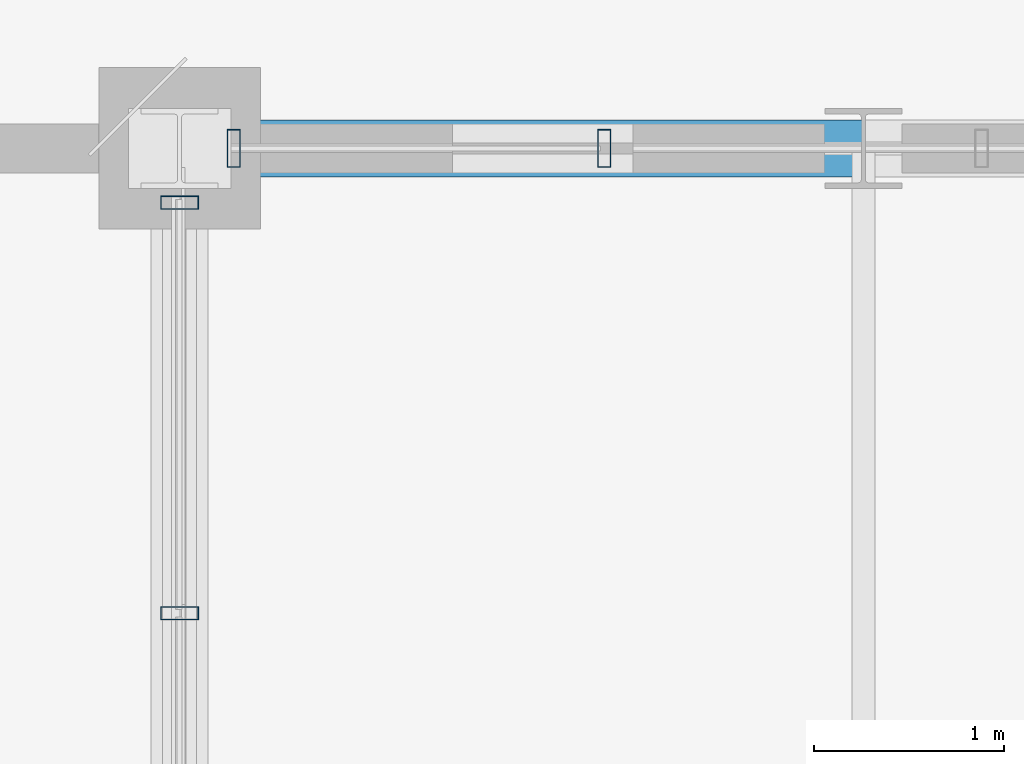
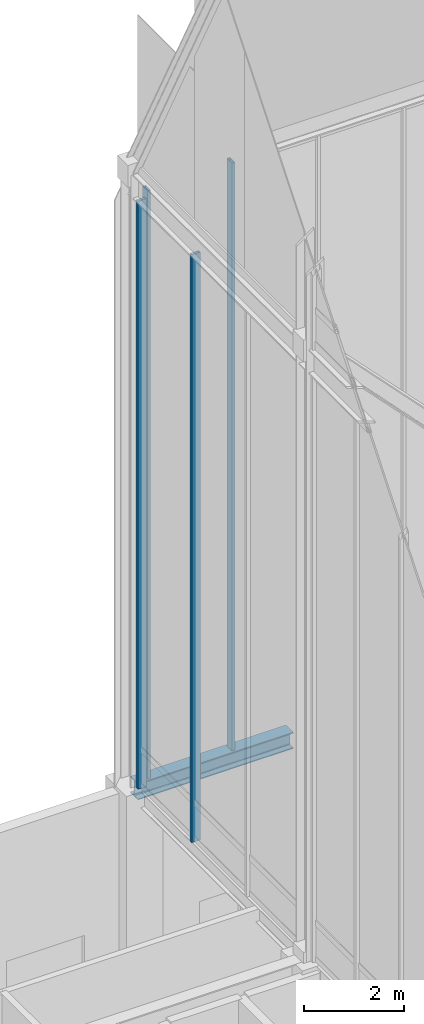
# One storey, part 23 of 49: 4 members, 1 beam, 2 elements without a shape of their own.
"""IFC4 building model written with IfcOpenShell, lengths in metres."""

import ifcopenshell
import ifcopenshell.guid

model = None  # the IFC model being written
_history = None  # IfcOwnerHistory: only IFC2X3 demands one
_inside = {}  # id of a spatial element -> (the spatial element, [elements in it])
_under = {}  # id of a project, library or spatial element -> (it, [spatial elements below it])
_declared = {}  # id of a project -> (the project, [libraries it declares])
_typed = {}  # id of a type object -> (the type object, [elements of that type])
_made_of = {}  # id of a material, layer set ... -> (it, [elements and type objects made of it])


def new_model(schema):
    """Start an empty IFC model of exactly this schema.

    Asked for "IFC4X3", IfcOpenShell would pick the latest addendum, in which some entities
    have other attributes; the version numbers below select the first issue.
    IFC2X3 requires an IfcOwnerHistory on every rooted entity: one is made here for all.
    """
    global model, _history
    if schema == "IFC4X3":
        model = ifcopenshell.file(schema_version=(4, 3, 0, 0))
    else:
        model = ifcopenshell.file(schema=schema)
    _inside.clear()
    _under.clear()
    _declared.clear()
    _typed.clear()
    _made_of.clear()
    _history = None
    if model.schema == "IFC2X3":
        org = make("IfcOrganization", Name="unknown")
        user = make(
            "IfcPersonAndOrganization",
            ThePerson=make("IfcPerson", FamilyName="unknown"),
            TheOrganization=org,
        )
        app = make(
            "IfcApplication",
            ApplicationDeveloper=org,
            Version="unknown",
            ApplicationFullName="unknown",
            ApplicationIdentifier="unknown",
        )
        _history = make(
            "IfcOwnerHistory",
            OwningUser=user,
            OwningApplication=app,
            ChangeAction="ADDED",
            CreationDate=0,
        )
    return model


def make(cls, **values):
    """One entity of the class cls with the attributes given. An attribute that is None is left unset."""
    return model.create_entity(
        cls, **{name: value for name, value in values.items() if value is not None}
    )


def rooted(cls, **values):
    """An entity with a GlobalId (a new one), such as an element, a storey or a relation."""
    return make(cls, GlobalId=ifcopenshell.guid.new(), OwnerHistory=_history, **values)


def si_unit(unit_type, name, prefix=None):
    """IfcSIUnit, for example si_unit("LENGTHUNIT", "METRE", prefix="MILLI")."""
    return make("IfcSIUnit", UnitType=unit_type, Prefix=prefix, Name=name)


def assignment(units):
    """IfcUnitAssignment: the units of a project."""
    return None if units is None else make("IfcUnitAssignment", Units=units)


def point(xyz):
    """IfcCartesianPoint."""
    return None if xyz is None else make("IfcCartesianPoint", Coordinates=xyz)


def direction(xyz):
    """IfcDirection."""
    return None if xyz is None else make("IfcDirection", DirectionRatios=xyz)


def frame(location, z_axis=None, x_axis=None):
    """IfcAxis2Placement3D, a coordinate frame: its origin and axes. An axis left out is left unset."""
    return make(
        "IfcAxis2Placement3D",
        Location=point(location),
        Axis=direction(z_axis),
        RefDirection=direction(x_axis),
    )


def frame_2d(location, x_axis=None):
    """IfcAxis2Placement2D, a coordinate frame in the plane: its origin and x axis."""
    return make(
        "IfcAxis2Placement2D", Location=point(location), RefDirection=direction(x_axis)
    )


def origin():
    """The frame at (0, 0, 0) with its axes left unset."""
    return frame((0.0, 0.0, 0.0))


def origin_2d():
    """The frame at (0, 0) in the plane with its x axis left unset."""
    return frame_2d((0.0, 0.0))


def place(relative_to, where):
    """IfcLocalPlacement: puts the frame where relative to a parent placement (None: the world)."""
    return make(
        "IfcLocalPlacement", PlacementRelTo=relative_to, RelativePlacement=where
    )


def context(
    kind, dimensions, precision=None, world=None, true_north=None, identifier=None
):
    """IfcGeometricRepresentationContext, for example the 3D "Model" context."""
    return make(
        "IfcGeometricRepresentationContext",
        ContextIdentifier=identifier,
        ContextType=kind,
        CoordinateSpaceDimension=dimensions,
        Precision=precision,
        WorldCoordinateSystem=world,
        TrueNorth=true_north,
    )


def subcontext(parent, identifier, kind, view, scale=None):
    """IfcGeometricRepresentationSubContext, for example "Body" below "Model"."""
    return make(
        "IfcGeometricRepresentationSubContext",
        ContextIdentifier=identifier,
        ContextType=kind,
        ParentContext=parent,
        TargetScale=scale,
        TargetView=view,
    )


def project(units=None, contexts=None):
    """IfcProject with its units and contexts."""
    return rooted(
        "IfcProject",
        Name="project",
        RepresentationContexts=contexts,
        UnitsInContext=assignment(units),
    )


def spatial(cls, under=None, at=None, **own):
    """A site, building, storey or space (cls), placed at a placement, below another one or the project."""
    s = rooted(cls, ObjectPlacement=at, **own)
    if under is not None:
        _under.setdefault(under.id(), (under, []))[1].append(s)
    return s


def profile(cls, at=None, kind="AREA", **sizes):
    """A parametric profile (cls). Its sizes go by their IFC names, for example OverallWidth=200.0."""
    return make(cls, ProfileType=kind, Position=at, **sizes)


def hollow_rectangle(**sizes):
    """IfcRectangleHollowProfileDef."""
    return profile("IfcRectangleHollowProfileDef", **sizes)


def i_section(**sizes):
    """IfcIShapeProfileDef."""
    return profile("IfcIShapeProfileDef", **sizes)


def extrude(swept, where, along, depth):
    """IfcExtrudedAreaSolid: the profile swept, set in the frame where, extruded along a direction by depth."""
    return make(
        "IfcExtrudedAreaSolid",
        SweptArea=swept,
        Position=where,
        ExtrudedDirection=direction(along),
        Depth=depth,
    )


def shape(context_of_items, identifier, shape_type, items):
    """IfcShapeRepresentation: the items that make up one representation, for example the "Body"."""
    return make(
        "IfcShapeRepresentation",
        ContextOfItems=context_of_items,
        RepresentationIdentifier=identifier,
        RepresentationType=shape_type,
        Items=items,
    )


def source(mapping_origin, context_of_items, identifier, shape_type, items):
    """IfcRepresentationMap: a shape defined once, which mapped items show again and again."""
    return make(
        "IfcRepresentationMap",
        MappingOrigin=mapping_origin,
        MappedRepresentation=shape(context_of_items, identifier, shape_type, items),
    )


def transform(
    local_origin,
    x_axis=None,
    y_axis=None,
    z_axis=None,
    scale=None,
    scale2=None,
    scale3=None,
    uniform=True,
):
    """IfcCartesianTransformationOperator3D, or its non-uniform kind. x_axis, y_axis, z_axis: its Axis1, 2, 3."""
    if uniform:
        return make(
            "IfcCartesianTransformationOperator3D",
            Axis1=direction(x_axis),
            Axis2=direction(y_axis),
            LocalOrigin=point(local_origin),
            Scale=scale,
            Axis3=direction(z_axis),
        )
    return make(
        "IfcCartesianTransformationOperator3DnonUniform",
        Axis1=direction(x_axis),
        Axis2=direction(y_axis),
        LocalOrigin=point(local_origin),
        Scale=scale,
        Axis3=direction(z_axis),
        Scale2=scale2,
        Scale3=scale3,
    )


def mapped(mapping_source, mapping_target):
    """IfcMappedItem: shows the shape of a source again, moved by a transform."""
    return make(
        "IfcMappedItem", MappingSource=mapping_source, MappingTarget=mapping_target
    )


def material(Name=None, Category=None):
    """IfcMaterial."""
    return make("IfcMaterial", Name=Name, Category=Category)


def layer(
    of_material, thickness, ventilated=None, Name=None, Category=None, Priority=None
):
    """IfcMaterialLayer: one layer of a wall or slab, of a material (None: an air gap)."""
    return make(
        "IfcMaterialLayer",
        Material=of_material,
        LayerThickness=thickness,
        IsVentilated=ventilated,
        Name=Name,
        Category=Category,
        Priority=Priority,
    )


def layer_set(layers, Name=None):
    """IfcMaterialLayerSet."""
    return make("IfcMaterialLayerSet", MaterialLayers=layers, LayerSetName=Name)


def material_profile(
    of_material, cross_section, Name=None, Category=None, Priority=None
):
    """IfcMaterialProfile: a cross section and its material."""
    return make(
        "IfcMaterialProfile",
        Name=Name,
        Material=of_material,
        Profile=cross_section,
        Priority=Priority,
        Category=Category,
    )


def profile_set(profiles, Name=None, composite=None):
    """IfcMaterialProfileSet."""
    return make(
        "IfcMaterialProfileSet",
        Name=Name,
        MaterialProfiles=profiles,
        CompositeProfile=composite,
    )


def made_of(thing, what):
    """Note that an element or type object is made of a material, layer set ...; save() writes the relation."""
    if what is not None:
        _made_of.setdefault(what.id(), (what, []))[1].append(thing)
    return thing


def type_object(cls, material=None, **own):
    """A type object (cls), such as IfcWallType, which elements share."""
    return made_of(rooted(cls, **own), material)


def element(
    cls,
    number,
    at=None,
    inside=None,
    cuts=None,
    type_object=None,
    material=None,
    context=None,
    identifier="Body",
    shape_type=None,
    held_by="IfcProductDefinitionShape",
    body=None,
    shapes=None,
    **own,
):
    """One element of the class cls, such as IfcWall. Its Tag is "e" and its number.

    at: its placement. inside: the storey or other place that contains it. cuts: it is an
    opening in that element (IfcRelVoidsElement). A single representation is given by context,
    identifier, shape_type and body (its items); several are given by shapes. held_by: the class
    of the entity that holds the representations. save() writes the other relations.
    """
    e = rooted(cls, Tag="e%d" % number, ObjectPlacement=at, **own)
    if body is not None:
        shapes = [shape(context, identifier, shape_type, body)]
    if shapes is not None:
        e.Representation = make(held_by, Representations=shapes)
    if inside is not None:
        _inside.setdefault(inside.id(), (inside, []))[1].append(e)
    if cuts is not None:
        rooted(
            "IfcRelVoidsElement", RelatingBuildingElement=cuts, RelatedOpeningElement=e
        )
    if type_object is not None:
        _typed.setdefault(type_object.id(), (type_object, []))[1].append(e)
    return made_of(e, material)


def aggregate(whole, parts):
    """IfcRelAggregates: a whole, such as a stair, and the parts it consists of."""
    return rooted("IfcRelAggregates", RelatingObject=whole, RelatedObjects=parts)


def save(model, path):
    """Write the relations noted so far, then the file.

    IfcRelAggregates (storeys below a building ...), IfcRelContainedInSpatialStructure (elements
    in a storey), IfcRelDefinesByType, IfcRelAssociatesMaterial and IfcRelDeclares: one each for
    every whole, place, type object, material and project.
    """
    for whole, parts in _under.values():
        aggregate(whole, parts)
    for where, things in _inside.values():
        rooted(
            "IfcRelContainedInSpatialStructure",
            RelatedElements=things,
            RelatingStructure=where,
        )
    for kind, things in _typed.values():
        rooted("IfcRelDefinesByType", RelatedObjects=things, RelatingType=kind)
    for what, things in _made_of.values():
        rooted("IfcRelAssociatesMaterial", RelatedObjects=things, RelatingMaterial=what)
    for by, libraries in _declared.values():
        rooted("IfcRelDeclares", RelatingContext=by, RelatedDefinitions=libraries)
    model.write(path)


model = new_model("IFC4")

# Units and contexts
model_context = context("Model", 3, precision=1e-05, world=origin(), true_north=direction((0.0, 1.0)))
body_context = subcontext(model_context, "Body", "Model", "MODEL_VIEW")
ifc_project = project(units=[si_unit("LENGTHUNIT", "METRE"), si_unit("AREAUNIT", "SQUARE_METRE"), si_unit("VOLUMEUNIT", "CUBIC_METRE"), si_unit("PLANEANGLEUNIT", "RADIAN"), si_unit("MASSUNIT", "GRAM", prefix="KILO")], contexts=[model_context])

# Site, building, storey
site_placement = place(None, origin())
site = spatial("IfcSite", under=ifc_project, at=site_placement, CompositionType="ELEMENT")
building_placement = place(site_placement, origin())
building = spatial("IfcBuilding", under=site, at=building_placement, Name="Kaliganga Portal Commons", CompositionType="ELEMENT")
storey_placement = place(building_placement, frame((0.0, 0.0, 298.0)))
storey = spatial("IfcBuildingStorey", under=building, at=storey_placement, Name="L77", CompositionType="ELEMENT", Elevation=298.0)

# Beam
ifc_material_1 = material(Name="Structural steel S355J2", Category="steel")
ifc_material_profile_1 = material_profile(ifc_material_1, i_section(OverallWidth=0.300048828125, OverallDepth=0.39990234375, WebThickness=0.013427734375, FlangeThickness=0.02392578125, FilletRadius=0.027099609375, at=origin_2d()), Name="HE 400 B")
ifc_profile_set_1 = profile_set([ifc_material_profile_1], Name="Structural steel S355J2 wide-flange")
beam_type = type_object("IfcBeamType", Name="BM-SPAND-400", PredefinedType="SPANDREL", material=ifc_profile_set_1)
shared_shape_1 = source(origin(), body_context, "Body", "SweptSolid", [
    extrude(i_section(OverallWidth=0.300048828125, OverallDepth=0.39990234375, WebThickness=0.013427734375, FlangeThickness=0.02392578125, FilletRadius=0.027099609375, at=origin_2d()), origin(), (0.0, 0.0, 1.0), 3.60009765625),
])
beam_placement = place(storey_placement, frame((14.39990234375, 43.199951171875, 5.800048828125), z_axis=(1.0, 0.0, 0.0), x_axis=(0.0, 1.0, 0.0)))
element("IfcBeam", 1, at=beam_placement, inside=storey, type_object=beam_type, Name="BM SP L77 AN 1", PredefinedType="SPANDREL", context=body_context, shape_type="MappedRepresentation", body=[
    mapped(shared_shape_1, transform((0.0, 0.0, 0.0), x_axis=(1.0, 0.0, 0.0), y_axis=(0.0, 1.0, 0.0), z_axis=(0.0, 0.0, 1.0), scale=1.0)),
])

# Curtain wall, members
ifc_material_2 = material(Name="Anodized Aluminium and Laminated Low-E Glass", Category="aluminium")
ifc_layer = layer(ifc_material_2, 0.25)
ifc_layer_set = layer_set([ifc_layer], Name="Anodized Aluminium and Laminated Low-E Glass")
curtain_wall_type = type_object("IfcCurtainWallType", Name="CW-SYS-06", PredefinedType="NOTDEFINED", material=ifc_layer_set)
curtain_wall_1_placement = place(storey_placement, origin())
curtain_wall_1 = element("IfcCurtainWall", 2, at=curtain_wall_1_placement, inside=storey, type_object=curtain_wall_type, Name="CW 06 L77 NW", PredefinedType="NOTDEFINED")
ifc_material_3 = material(Name="Dark Bronze Anodized Aluminium", Category="aluminium")
ifc_material_profile_2 = material_profile(ifc_material_3, hollow_rectangle(XDim=0.070068359375, YDim=0.199951171875, WallThickness=0.00390625, at=origin_2d()), Name="ALU MULL 70x200x4")
ifc_profile_set_2 = profile_set([ifc_material_profile_2], Name="Dark Bronze Anodized Aluminium")
member_type = type_object("IfcMemberType", Name="CW-MUL-220", PredefinedType="MULLION", material=ifc_profile_set_2)
shared_shape_2 = source(origin(), body_context, "Body", "SweptSolid", [
    extrude(hollow_rectangle(XDim=0.070068359375, YDim=0.199951171875, WallThickness=0.00390625, at=origin_2d()), origin(), (0.0, 0.0, 1.0), 14.39990234375),
])
member_1_placement = place(storey_placement, frame((16.6357421875, 43.199951171875, 6.0), z_axis=(0.0, 0.0, 1.0), x_axis=(-1.0, 0.0, 0.0)))
member_1 = element("IfcMember", 3, at=member_1_placement, type_object=member_type, Name="CW:06:L77:NW Mullion 06", PredefinedType="MULLION", context=body_context, shape_type="MappedRepresentation", body=[
    mapped(shared_shape_2, transform((0.0, 0.0, 0.0), x_axis=(1.0, 0.0, 0.0), y_axis=(0.0, 1.0, 0.0), z_axis=(0.0, 0.0, 1.0), scale=1.0)),
])
member_2_placement = place(storey_placement, frame((14.68505859375, 43.199951171875, 6.0), z_axis=(0.0, 0.0, 1.0), x_axis=(-1.0, 0.0, 0.0)))
member_2 = element("IfcMember", 4, at=member_2_placement, type_object=member_type, Name="CW:06:L77:NW Mullion 07", PredefinedType="MULLION", context=body_context, shape_type="MappedRepresentation", body=[
    mapped(shared_shape_2, transform((0.0, 0.0, 0.0), x_axis=(1.0, 0.0, 0.0), y_axis=(0.0, 1.0, 0.0), z_axis=(0.0, 0.0, 1.0), scale=1.0)),
])
aggregate(curtain_wall_1, [member_1, member_2])

curtain_wall_2_placement = place(storey_placement, origin())
curtain_wall_2 = element("IfcCurtainWall", 5, at=curtain_wall_2_placement, inside=storey, type_object=curtain_wall_type, Name="CW 06 L77 WN", PredefinedType="NOTDEFINED")
member_3_placement = place(storey_placement, frame((14.39990234375, 40.75341796875, 6.0), z_axis=(0.0, 0.0, 1.0), x_axis=(0.0, 1.0, 0.0)))
member_3 = element("IfcMember", 6, at=member_3_placement, type_object=member_type, Name="CW:06:L77:WN Mullion 02", PredefinedType="MULLION", context=body_context, shape_type="MappedRepresentation", body=[
    mapped(shared_shape_2, transform((0.0, 0.0, 0.0), x_axis=(1.0, 0.0, 0.0), y_axis=(0.0, 1.0, 0.0), z_axis=(0.0, 0.0, 1.0), scale=1.0)),
])
member_4_placement = place(storey_placement, frame((14.39990234375, 42.9150390625, 6.0), z_axis=(0.0, 0.0, 1.0), x_axis=(0.0, 1.0, 0.0)))
member_4 = element("IfcMember", 7, at=member_4_placement, type_object=member_type, Name="CW:06:L77:WN Mullion 03", PredefinedType="MULLION", context=body_context, shape_type="MappedRepresentation", body=[
    mapped(shared_shape_2, transform((0.0, 0.0, 0.0), x_axis=(1.0, 0.0, 0.0), y_axis=(0.0, 1.0, 0.0), z_axis=(0.0, 0.0, 1.0), scale=1.0)),
])
aggregate(curtain_wall_2, [member_3, member_4])

save(model, "model.ifc")
